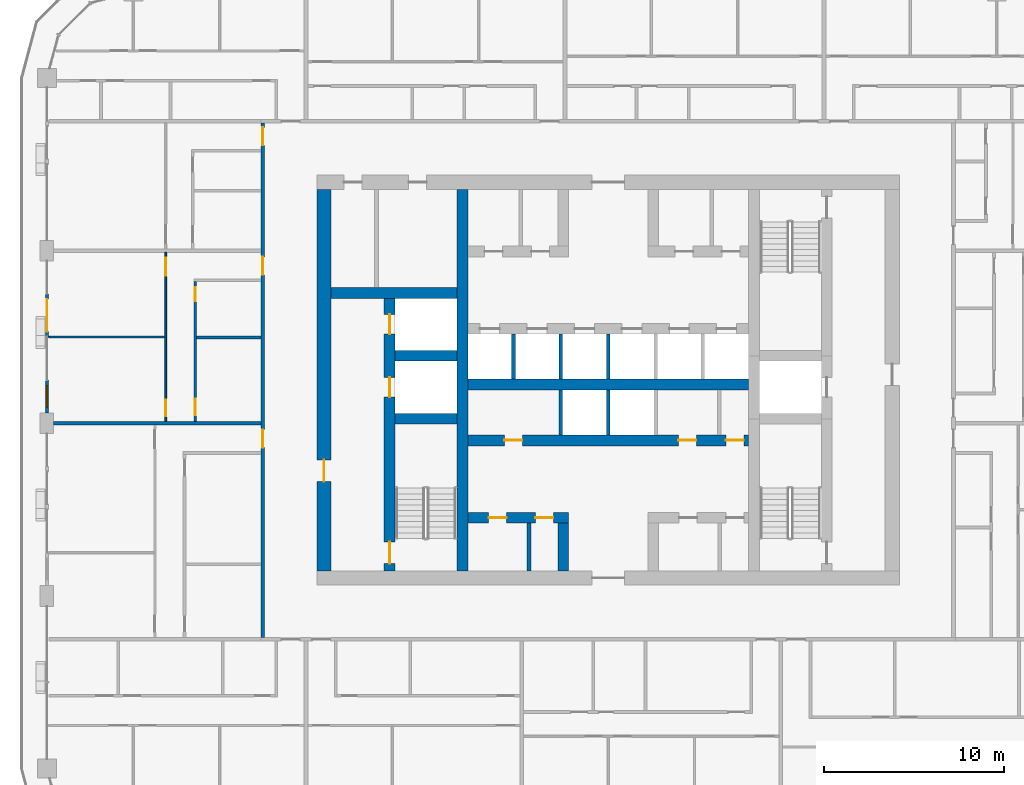
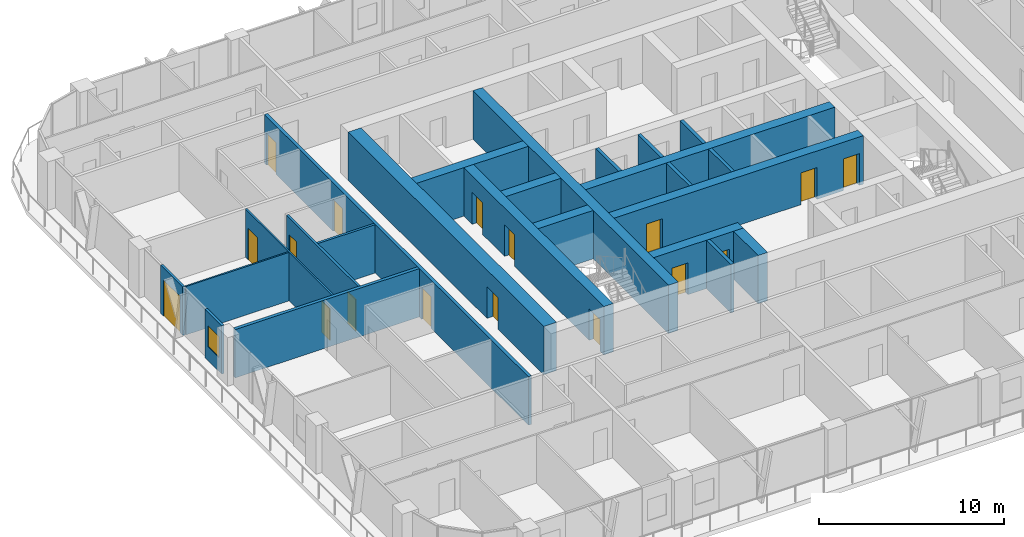
# One storey, part 10 of 22: 24 walls, 17 doors, 1 window, 18 openings.
"""IFC4 building model written with IfcOpenShell, lengths in metres."""

from ifc_helpers import new_model, si_unit, direction, frame, frame_2d, origin, place, context, subcontext, project, spatial, rectangle, extrude, material, layer, layer_set, type_object, element, fill, save


model = new_model("IFC4")

# Units and contexts
model_context = context("Model", 3, precision=1e-05, world=origin(), true_north=direction((0.0, 1.0)))
body_context = subcontext(model_context, "Body", "Model", "MODEL_VIEW")
ifc_project = project(units=[si_unit("LENGTHUNIT", "METRE"), si_unit("AREAUNIT", "SQUARE_METRE"), si_unit("VOLUMEUNIT", "CUBIC_METRE"), si_unit("PLANEANGLEUNIT", "RADIAN"), si_unit("MASSUNIT", "GRAM", prefix="KILO")], contexts=[model_context])

# Site, building, storey
site_placement = place(None, origin())
site = spatial("IfcSite", under=ifc_project, at=site_placement, CompositionType="ELEMENT")
building_placement = place(site_placement, origin())
building = spatial("IfcBuilding", under=site, at=building_placement, Name="Madar Terraces", CompositionType="ELEMENT")
storey_placement = place(building_placement, frame((0.0, 0.0, 149.0)))
storey = spatial("IfcBuildingStorey", under=building, at=storey_placement, Name="L38", CompositionType="ELEMENT", Elevation=149.0)

# Wall, openings, doors
ifc_material_1 = material(Name="Concrete C70/85", Category="concrete")
ifc_layer_1 = layer(ifc_material_1, 0.60009765625)
ifc_layer_set_1 = layer_set([ifc_layer_1], Name="Concrete C70/85 (CIW3 RC wall 600)")
wall_type_1 = type_object("IfcWallType", Name="CIW3 RC wall 600", PredefinedType="SHEAR", material=ifc_layer_set_1)
wall_1_placement = place(storey_placement, frame((19.050048828125, 15.800048828125, 0.0), z_axis=(0.0, 0.0, 1.0), x_axis=(0.0, 1.0, 0.0)))
wall_1 = element("IfcWall", 1, at=wall_1_placement, inside=storey, type_object=wall_type_1, Name="CORE SHAFT WALL", PredefinedType="SHEAR", context=body_context, shape_type="SweptSolid", body=[
    extrude(rectangle(XDim=15.14990234375, YDim=0.60009765625, at=frame_2d((7.574951171875, 0.0))), origin(), (0.0, 0.0, 1.0), 3.199951171875),
])
opening_1_placement = place(wall_1_placement, frame((9.64990234375, 0.0, 0.0)))
opening_1 = element("IfcOpeningElement", 2, at=opening_1_placement, cuts=wall_1, Name="Opening LD", PredefinedType="OPENING", context=body_context, shape_type="SweptSolid", body=[
    extrude(rectangle(XDim=1.10009765625, YDim=2.10009765625, at=frame_2d((0.550048828125, 1.050048828125))), frame((0.0, 0.31005859375, 0.0), z_axis=(0.0, -1.0, 0.0), x_axis=(1.0, 0.0, 0.0)), (0.0, 0.0, 1.0), 0.6201171875),
])
opening_2_placement = place(wall_1_placement, frame((13.14990234375, 0.0, 0.0)))
opening_2 = element("IfcOpeningElement", 3, at=opening_2_placement, cuts=wall_1, Name="Opening LD", PredefinedType="OPENING", context=body_context, shape_type="SweptSolid", body=[
    extrude(rectangle(XDim=1.10009765625, YDim=2.10009765625, at=frame_2d((0.550048828125, 1.050048828125))), frame((0.0, 0.31005859375, 0.0), z_axis=(0.0, -1.0, 0.0), x_axis=(1.0, 0.0, 0.0)), (0.0, 0.0, 1.0), 0.6201171875),
])
opening_3_placement = place(wall_1_placement, frame((0.39990234375, 0.0, 0.0)))
opening_3 = element("IfcOpeningElement", 4, at=opening_3_placement, cuts=wall_1, Name="Opening SD1", PredefinedType="OPENING", context=body_context, shape_type="SweptSolid", body=[
    extrude(rectangle(XDim=1.199951171875, YDim=2.10009765625, at=frame_2d((0.60009765625, 1.050048828125))), frame((0.0, 0.31005859375, 0.0), z_axis=(0.0, -1.0, 0.0), x_axis=(1.0, 0.0, 0.0)), (0.0, 0.0, 1.0), 0.6201171875),
])
ifc_material_2 = material(Name="Stainless steel panel", Category="steel")
door_type_1 = type_object("IfcDoorType", Name="Lift landing door 1100 x 2100", OperationType="DOUBLE_DOOR_SLIDING", PredefinedType="DOOR", material=ifc_material_2)
door_1_placement = place(opening_1_placement, origin())
door_1 = element("IfcDoor", 5, at=door_1_placement, inside=storey, type_object=door_type_1, Name="LIFT LANDING DOOR", OperationType="DOUBLE_DOOR_SLIDING", OverallHeight=2.10009765625, OverallWidth=1.10009765625, PredefinedType="DOOR", context=body_context, shape_type="SweptSolid", body=[
    extrude(rectangle(XDim=1.10009765625, YDim=2.10009765625, at=frame_2d((0.550048828125, 1.050048828125))), frame((0.0, 0.02490234375, 0.0), z_axis=(0.0, -1.0, 0.0), x_axis=(1.0, 0.0, 0.0)), (0.0, 0.0, 1.0), 0.050048828125),
])
fill(opening_1, door_1)
door_2_placement = place(opening_2_placement, origin())
door_2 = element("IfcDoor", 6, at=door_2_placement, inside=storey, type_object=door_type_1, Name="LIFT LANDING DOOR", OperationType="DOUBLE_DOOR_SLIDING", OverallHeight=2.10009765625, OverallWidth=1.10009765625, PredefinedType="DOOR", context=body_context, shape_type="SweptSolid", body=[
    extrude(rectangle(XDim=1.10009765625, YDim=2.10009765625, at=frame_2d((0.550048828125, 1.050048828125))), frame((0.0, 0.02490234375, 0.0), z_axis=(0.0, -1.0, 0.0), x_axis=(1.0, 0.0, 0.0)), (0.0, 0.0, 1.0), 0.050048828125),
])
fill(opening_2, door_2)
ifc_material_3 = material(Name="Steel door leaf", Category="steel")
door_type_2 = type_object("IfcDoorType", Name="Stair door 1200 x 2100", OperationType="NOTDEFINED", PredefinedType="DOOR", material=ifc_material_3)
door_3_placement = place(opening_3_placement, frame((1.199951171875, 0.0, 0.0), z_axis=(0.0, 0.0, 1.0), x_axis=(-1.0, 0.0, 0.0)))
door_3 = element("IfcDoor", 7, at=door_3_placement, inside=storey, type_object=door_type_2, Name="STAIR DOOR", OperationType="SINGLE_SWING_RIGHT", OverallHeight=2.10009765625, OverallWidth=1.199951171875, PredefinedType="DOOR", context=body_context, shape_type="SweptSolid", body=[
    extrude(rectangle(XDim=1.199951171875, YDim=2.10009765625, at=frame_2d((0.60009765625, 1.050048828125))), frame((0.0, 0.02490234375, 0.0), z_axis=(0.0, -1.0, 0.0), x_axis=(1.0, 0.0, 0.0)), (0.0, 0.0, 1.0), 0.050048828125),
])
fill(opening_3, door_3)

# Walls
wall_2_placement = place(storey_placement, frame((23.10009765625, 15.800048828125, 0.0), z_axis=(0.0, 0.0, 1.0), x_axis=(0.0, 1.0, 0.0)))
element("IfcWall", 8, at=wall_2_placement, inside=storey, type_object=wall_type_1, Name="CORE SHAFT WALL", PredefinedType="SHEAR", context=body_context, shape_type="SweptSolid", body=[
    extrude(rectangle(XDim=21.199951171875, YDim=0.60009765625, at=frame_2d((10.60009765625, 0.0))), origin(), (0.0, 0.0, 1.0), 3.199951171875),
])
for number, where, z_axis, x_axis, name in (
    (9, (19.35009765625, 24.25, 0.0), (0.0, 0.0, 1.0), (1.0, 0.0, 0.0), "CORE SHAFT WALL"),
    (10, (19.35009765625, 27.75, 0.0), (0.0, 0.0, 1.0), (1.0, 0.0, 0.0), "CORE SHAFT WALL"),
):
    element("IfcWall", number, at=place(storey_placement, frame(where, z_axis=z_axis, x_axis=x_axis)), inside=storey, type_object=wall_type_1, Name=name, PredefinedType="SHEAR", context=body_context, shape_type="SweptSolid", body=[
        extrude(rectangle(XDim=3.449951171875, YDim=0.60009765625, at=frame_2d((1.72509765625, 0.0))), origin(), (0.0, 0.0, 1.0), 3.199951171875),
    ])
wall_3_placement = place(storey_placement, frame((15.800048828125, 31.25, 0.0), z_axis=(0.0, 0.0, 1.0), x_axis=(1.0, 0.0, 0.0)))
element("IfcWall", 11, at=wall_3_placement, inside=storey, type_object=wall_type_1, Name="CORE SHAFT WALL", PredefinedType="SHEAR", context=body_context, shape_type="SweptSolid", body=[
    extrude(rectangle(XDim=7.0, YDim=0.60009765625, at=frame_2d((3.5, 0.0))), origin(), (0.0, 0.0, 1.0), 3.199951171875),
])

# Wall, openings, doors
wall_4_placement = place(storey_placement, frame((23.39990234375, 18.75, 0.0), z_axis=(0.0, 0.0, 1.0), x_axis=(1.0, 0.0, 0.0)))
wall_4 = element("IfcWall", 12, at=wall_4_placement, inside=storey, type_object=wall_type_1, Name="CORE SHAFT WALL", PredefinedType="SHEAR", context=body_context, shape_type="SweptSolid", body=[
    extrude(rectangle(XDim=5.60009765625, YDim=0.60009765625, at=frame_2d((2.800048828125, 0.0))), origin(), (0.0, 0.0, 1.0), 3.199951171875),
])
opening_4_placement = place(wall_4_placement, frame((1.14990234375, 0.0, 0.0)))
opening_4 = element("IfcOpeningElement", 13, at=opening_4_placement, cuts=wall_4, Name="Opening KD2", PredefinedType="OPENING", context=body_context, shape_type="SweptSolid", body=[
    extrude(rectangle(XDim=1.0, YDim=2.10009765625, at=frame_2d((0.5, 1.050048828125))), frame((0.0, 0.31005859375, 0.0), z_axis=(0.0, -1.0, 0.0), x_axis=(1.0, 0.0, 0.0)), (0.0, 0.0, 1.0), 0.6201171875),
])
opening_5_placement = place(wall_4_placement, frame((3.75, 0.0, 0.0)))
opening_5 = element("IfcOpeningElement", 14, at=opening_5_placement, cuts=wall_4, Name="Opening KD2", PredefinedType="OPENING", context=body_context, shape_type="SweptSolid", body=[
    extrude(rectangle(XDim=1.0, YDim=2.10009765625, at=frame_2d((0.5, 1.050048828125))), frame((0.0, 0.31005859375, 0.0), z_axis=(0.0, -1.0, 0.0), x_axis=(1.0, 0.0, 0.0)), (0.0, 0.0, 1.0), 0.6201171875),
])
ifc_material_4 = material(Name="Steel door leaf", Category="steel")
door_type_3 = type_object("IfcDoorType", Name="Service room door 1000 x 2100", OperationType="NOTDEFINED", PredefinedType="DOOR", material=ifc_material_4)
door_4_placement = place(opening_4_placement, origin())
door_4 = element("IfcDoor", 15, at=door_4_placement, inside=storey, type_object=door_type_3, Name="SERVICE ROOM DOOR", OperationType="SINGLE_SWING_RIGHT", OverallHeight=2.10009765625, OverallWidth=1.0, PredefinedType="DOOR", context=body_context, shape_type="SweptSolid", body=[
    extrude(rectangle(XDim=1.0, YDim=2.10009765625, at=frame_2d((0.5, 1.050048828125))), frame((0.0, 0.02490234375, 0.0), z_axis=(0.0, -1.0, 0.0), x_axis=(1.0, 0.0, 0.0)), (0.0, 0.0, 1.0), 0.050048828125),
])
fill(opening_4, door_4)
door_5_placement = place(opening_5_placement, origin())
door_5 = element("IfcDoor", 16, at=door_5_placement, inside=storey, type_object=door_type_3, Name="SERVICE ROOM DOOR", OperationType="SINGLE_SWING_LEFT", OverallHeight=2.10009765625, OverallWidth=1.0, PredefinedType="DOOR", context=body_context, shape_type="SweptSolid", body=[
    extrude(rectangle(XDim=1.0, YDim=2.10009765625, at=frame_2d((0.5, 1.050048828125))), frame((0.0, 0.02490234375, 0.0), z_axis=(0.0, -1.0, 0.0), x_axis=(1.0, 0.0, 0.0)), (0.0, 0.0, 1.0), 0.050048828125),
])
fill(opening_5, door_5)

wall_5_placement = place(storey_placement, frame((23.39990234375, 23.050048828125, 0.0), z_axis=(0.0, 0.0, 1.0), x_axis=(1.0, 0.0, 0.0)))
wall_5 = element("IfcWall", 17, at=wall_5_placement, inside=storey, type_object=wall_type_1, Name="CORE SHAFT WALL", PredefinedType="SHEAR", context=body_context, shape_type="SweptSolid", body=[
    extrude(rectangle(XDim=15.60009765625, YDim=0.60009765625, at=frame_2d((7.800048828125, 0.0))), origin(), (0.0, 0.0, 1.0), 3.199951171875),
])
opening_6_placement = place(wall_5_placement, frame((2.033447265625, 0.0, 0.0)))
opening_6 = element("IfcOpeningElement", 18, at=opening_6_placement, cuts=wall_5, Name="Opening KD2", PredefinedType="OPENING", context=body_context, shape_type="SweptSolid", body=[
    extrude(rectangle(XDim=1.0, YDim=2.10009765625, at=frame_2d((0.5, 1.050048828125))), frame((0.0, 0.31005859375, 0.0), z_axis=(0.0, -1.0, 0.0), x_axis=(1.0, 0.0, 0.0)), (0.0, 0.0, 1.0), 0.6201171875),
])
opening_7_placement = place(wall_5_placement, frame((11.7060546875, 0.0, 0.0)))
opening_7 = element("IfcOpeningElement", 19, at=opening_7_placement, cuts=wall_5, Name="Opening KD2", PredefinedType="OPENING", context=body_context, shape_type="SweptSolid", body=[
    extrude(rectangle(XDim=1.0, YDim=2.10009765625, at=frame_2d((0.5, 1.050048828125))), frame((0.0, 0.31005859375, 0.0), z_axis=(0.0, -1.0, 0.0), x_axis=(1.0, 0.0, 0.0)), (0.0, 0.0, 1.0), 0.6201171875),
])
opening_8_placement = place(wall_5_placement, frame((14.33935546875, 0.0, 0.0)))
opening_8 = element("IfcOpeningElement", 20, at=opening_8_placement, cuts=wall_5, Name="Opening KD2", PredefinedType="OPENING", context=body_context, shape_type="SweptSolid", body=[
    extrude(rectangle(XDim=1.0, YDim=2.10009765625, at=frame_2d((0.5, 1.050048828125))), frame((0.0, 0.31005859375, 0.0), z_axis=(0.0, -1.0, 0.0), x_axis=(1.0, 0.0, 0.0)), (0.0, 0.0, 1.0), 0.6201171875),
])
door_6_placement = place(opening_6_placement, frame((1.0, 0.0, 0.0), z_axis=(0.0, 0.0, 1.0), x_axis=(-1.0, 0.0, 0.0)))
door_6 = element("IfcDoor", 21, at=door_6_placement, inside=storey, type_object=door_type_3, Name="SERVICE ROOM DOOR", OperationType="SINGLE_SWING_LEFT", OverallHeight=2.10009765625, OverallWidth=1.0, PredefinedType="DOOR", context=body_context, shape_type="SweptSolid", body=[
    extrude(rectangle(XDim=1.0, YDim=2.10009765625, at=frame_2d((0.5, 1.050048828125))), frame((0.0, 0.02490234375, 0.0), z_axis=(0.0, -1.0, 0.0), x_axis=(1.0, 0.0, 0.0)), (0.0, 0.0, 1.0), 0.050048828125),
])
fill(opening_6, door_6)
door_7_placement = place(opening_7_placement, frame((1.0, 0.0, 0.0), z_axis=(0.0, 0.0, 1.0), x_axis=(-1.0, 0.0, 0.0)))
door_7 = element("IfcDoor", 22, at=door_7_placement, inside=storey, type_object=door_type_3, Name="SERVICE ROOM DOOR", OperationType="SINGLE_SWING_RIGHT", OverallHeight=2.10009765625, OverallWidth=1.0, PredefinedType="DOOR", context=body_context, shape_type="SweptSolid", body=[
    extrude(rectangle(XDim=1.0, YDim=2.10009765625, at=frame_2d((0.5, 1.050048828125))), frame((0.0, 0.02490234375, 0.0), z_axis=(0.0, -1.0, 0.0), x_axis=(1.0, 0.0, 0.0)), (0.0, 0.0, 1.0), 0.050048828125),
])
fill(opening_7, door_7)
door_8_placement = place(opening_8_placement, frame((1.0, 0.0, 0.0), z_axis=(0.0, 0.0, 1.0), x_axis=(-1.0, 0.0, 0.0)))
door_8 = element("IfcDoor", 23, at=door_8_placement, inside=storey, type_object=door_type_3, Name="SERVICE ROOM DOOR", OperationType="SINGLE_SWING_LEFT", OverallHeight=2.10009765625, OverallWidth=1.0, PredefinedType="DOOR", context=body_context, shape_type="SweptSolid", body=[
    extrude(rectangle(XDim=1.0, YDim=2.10009765625, at=frame_2d((0.5, 1.050048828125))), frame((0.0, 0.02490234375, 0.0), z_axis=(0.0, -1.0, 0.0), x_axis=(1.0, 0.0, 0.0)), (0.0, 0.0, 1.0), 0.050048828125),
])
fill(opening_8, door_8)

# Walls
wall_6_placement = place(storey_placement, frame((23.39990234375, 26.14990234375, 0.0), z_axis=(0.0, 0.0, 1.0), x_axis=(1.0, 0.0, 0.0)))
element("IfcWall", 24, at=wall_6_placement, inside=storey, type_object=wall_type_1, Name="CORE SHAFT WALL", PredefinedType="SHEAR", context=body_context, shape_type="SweptSolid", body=[
    extrude(rectangle(XDim=15.60009765625, YDim=0.60009765625, at=frame_2d((7.800048828125, 0.0))), origin(), (0.0, 0.0, 1.0), 3.199951171875),
])
wall_7_placement = place(storey_placement, frame((28.699951171875, 15.800048828125, 0.0), z_axis=(0.0, 0.0, 1.0), x_axis=(0.0, 1.0, 0.0)))
element("IfcWall", 25, at=wall_7_placement, inside=storey, type_object=wall_type_1, Name="CORE SHAFT WALL", PredefinedType="SHEAR", context=body_context, shape_type="SweptSolid", body=[
    extrude(rectangle(XDim=2.64990234375, YDim=0.60009765625, at=frame_2d((1.324951171875, 0.0))), origin(), (0.0, 0.0, 1.0), 3.199951171875),
])

# Wall, opening, door
ifc_material_5 = material(Name="Concrete C70/85", Category="concrete")
ifc_layer_2 = layer(ifc_material_5, 0.800048828125)
ifc_layer_set_2 = layer_set([ifc_layer_2], Name="Concrete C70/85 (CRW3 RC wall 800)")
wall_type_2 = type_object("IfcWallType", Name="CRW3 RC wall 800", PredefinedType="SHEAR", material=ifc_layer_set_2)
wall_8_placement = place(storey_placement, frame((15.39990234375, 15.800048828125, 0.0), z_axis=(0.0, 0.0, 1.0), x_axis=(0.0, 1.0, 0.0)))
wall_8 = element("IfcWall", 26, at=wall_8_placement, inside=storey, type_object=wall_type_2, Name="CORE OUTER WALL", PredefinedType="SHEAR", context=body_context, shape_type="SweptSolid", body=[
    extrude(rectangle(XDim=21.199951171875, YDim=0.800048828125, at=frame_2d((10.60009765625, 0.0))), origin(), (0.0, 0.0, 1.0), 3.199951171875),
])
opening_9_placement = place(wall_8_placement, frame((4.9599609375, 0.0, 0.0)))
opening_9 = element("IfcOpeningElement", 27, at=opening_9_placement, cuts=wall_8, Name="Opening SD1", PredefinedType="OPENING", context=body_context, shape_type="SweptSolid", body=[
    extrude(rectangle(XDim=1.199951171875, YDim=2.10009765625, at=frame_2d((0.60009765625, 1.050048828125))), frame((0.0, 0.409912109375, 0.0), z_axis=(0.0, -1.0, 0.0), x_axis=(1.0, 0.0, 0.0)), (0.0, 0.0, 1.0), 0.820068359375),
])
door_9_placement = place(opening_9_placement, frame((1.199951171875, 0.0, 0.0), z_axis=(0.0, 0.0, 1.0), x_axis=(-1.0, 0.0, 0.0)))
door_9 = element("IfcDoor", 28, at=door_9_placement, inside=storey, type_object=door_type_2, Name="STAIR DOOR", OperationType="SINGLE_SWING_LEFT", OverallHeight=2.10009765625, OverallWidth=1.199951171875, PredefinedType="DOOR", context=body_context, shape_type="SweptSolid", body=[
    extrude(rectangle(XDim=1.199951171875, YDim=2.10009765625, at=frame_2d((0.60009765625, 1.050048828125))), frame((0.0, 0.02490234375, 0.0), z_axis=(0.0, -1.0, 0.0), x_axis=(1.0, 0.0, 0.0)), (0.0, 0.0, 1.0), 0.050048828125),
])
fill(opening_9, door_9)

# Walls
ifc_material_6 = material(Name="Masonry blockwork", Category="masonry")
ifc_layer_3 = layer(ifc_material_6, 0.199951171875)
ifc_layer_set_3 = layer_set([ifc_layer_3], Name="Core partition 200 blockwork")
wall_type_3 = type_object("IfcWallType", Name="Core partition 200 blockwork", PredefinedType="PARTITIONING", material=ifc_layer_set_3)
wall_9_placement = place(storey_placement, frame((26.800048828125, 15.800048828125, 0.0), z_axis=(0.0, 0.0, 1.0), x_axis=(0.0, 1.0, 0.0)))
element("IfcWall", 29, at=wall_9_placement, inside=storey, type_object=wall_type_3, Name="SERVICE ROOM PARTITION", PredefinedType="PARTITIONING", context=body_context, shape_type="SweptSolid", body=[
    extrude(rectangle(XDim=2.64990234375, YDim=0.199951171875, at=frame_2d((1.324951171875, 0.0))), origin(), (0.0, 0.0, 1.0), 3.199951171875),
])
ifc_material_7 = material(Name="Concrete C40/50", Category="concrete")
ifc_layer_4 = layer(ifc_material_7, 0.199951171875)
ifc_layer_set_4 = layer_set([ifc_layer_4], Name="Core shaft dividing wall 200 C40/50")
wall_type_4 = type_object("IfcWallType", Name="Core shaft dividing wall 200 C40/50", PredefinedType="SOLIDWALL", material=ifc_layer_set_4)
for number, where, z_axis, x_axis, name in (
    (30, (25.933349609375, 26.449951171875, 0.0), (0.0, 0.0, 1.0), (0.0, 1.0, 0.0), "SHAFT DIVIDING WALL"),
    (31, (28.566650390625, 23.35009765625, 0.0), (0.0, 0.0, 1.0), (0.0, 1.0, 0.0), "SHAFT DIVIDING WALL"),
    (32, (28.566650390625, 26.449951171875, 0.0), (0.0, 0.0, 1.0), (0.0, 1.0, 0.0), "SHAFT DIVIDING WALL"),
    (33, (31.199951171875, 23.35009765625, 0.0), (0.0, 0.0, 1.0), (0.0, 1.0, 0.0), "SHAFT DIVIDING WALL"),
    (34, (31.199951171875, 26.449951171875, 0.0), (0.0, 0.0, 1.0), (0.0, 1.0, 0.0), "SHAFT DIVIDING WALL"),
):
    element("IfcWall", number, at=place(storey_placement, frame(where, z_axis=z_axis, x_axis=x_axis)), inside=storey, type_object=wall_type_4, Name=name, PredefinedType="SOLIDWALL", context=body_context, shape_type="SweptSolid", body=[
        extrude(rectangle(XDim=2.5, YDim=0.199951171875, at=frame_2d((1.25, 0.0))), origin(), (0.0, 0.0, 1.0), 3.199951171875),
    ])

# Wall, opening, door
ifc_material_8 = material(Name="Aluminium composite panel, black, over insulated backing", Category="aluminium")
ifc_layer_5 = layer(ifc_material_8, 0.14990234375)
ifc_layer_set_5 = layer_set([ifc_layer_5], Name="Facade bay panel 150")
wall_type_5 = type_object("IfcWallType", Name="Facade bay panel 150", PredefinedType="SOLIDWALL", material=ifc_layer_set_5)
wall_10_placement = place(storey_placement, frame((0.0, 31.199951171875, 0.0), z_axis=(0.0, 0.0, 1.0), x_axis=(0.0, -1.0, 0.0)))
wall_10 = element("IfcWall", 35, at=wall_10_placement, inside=storey, type_object=wall_type_5, Name="Facade bay panel", PredefinedType="SOLIDWALL", context=body_context, shape_type="SweptSolid", body=[
    extrude(rectangle(XDim=2.39990234375, YDim=0.14990234375, at=frame_2d((1.199951171875, 0.0))), origin(), (0.0, 0.0, 1.0), 3.199951171875),
])
opening_10_placement = place(wall_10_placement, frame((0.300048828125, 0.0, 0.0)))
opening_10 = element("IfcOpeningElement", 36, at=opening_10_placement, cuts=wall_10, Name="Opening ED1", PredefinedType="OPENING", context=body_context, shape_type="SweptSolid", body=[
    extrude(rectangle(XDim=1.800048828125, YDim=2.39990234375, at=frame_2d((0.89990234375, 1.199951171875))), frame((0.0, 0.0849609375, 0.0), z_axis=(0.0, -1.0, 0.0), x_axis=(1.0, 0.0, 0.0)), (0.0, 0.0, 1.0), 0.169921875),
])
ifc_material_9 = material(Name="Glass, clear, with black aluminium frame", Category="aluminium")
door_type_4 = type_object("IfcDoorType", Name="Balcony and terrace sliding door 1800 x 2400", OperationType="SLIDING_TO_LEFT", PredefinedType="DOOR", material=ifc_material_9)
door_10_placement = place(opening_10_placement, origin())
door_10 = element("IfcDoor", 37, at=door_10_placement, inside=storey, type_object=door_type_4, Name="Balcony door", OperationType="SLIDING_TO_RIGHT", OverallHeight=2.39990234375, OverallWidth=1.800048828125, PredefinedType="DOOR", context=body_context, shape_type="SweptSolid", body=[
    extrude(rectangle(XDim=1.800048828125, YDim=2.39990234375, at=frame_2d((0.89990234375, 1.199951171875))), frame((0.0, 0.02490234375, 0.0), z_axis=(0.0, -1.0, 0.0), x_axis=(1.0, 0.0, 0.0)), (0.0, 0.0, 1.0), 0.050048828125),
])
fill(opening_10, door_10)

# Wall, opening, window
wall_11_placement = place(storey_placement, frame((0.0, 26.39990234375, 0.0), z_axis=(0.0, 0.0, 1.0), x_axis=(0.0, -1.0, 0.0)))
wall_11 = element("IfcWall", 38, at=wall_11_placement, inside=storey, type_object=wall_type_5, Name="Facade bay panel", PredefinedType="SOLIDWALL", context=body_context, shape_type="SweptSolid", body=[
    extrude(rectangle(XDim=1.824951171875, YDim=0.14990234375, at=frame_2d((0.91259765625, 0.0))), origin(), (0.0, 0.0, 1.0), 3.199951171875),
])
opening_11_placement = place(wall_11_placement, frame((0.3125, 0.0, 0.89990234375)))
opening_11 = element("IfcOpeningElement", 39, at=opening_11_placement, cuts=wall_11, Name="Opening W1", PredefinedType="OPENING", context=body_context, shape_type="SweptSolid", body=[
    extrude(rectangle(XDim=1.199951171875, YDim=1.39990234375, at=frame_2d((0.60009765625, 0.699951171875))), frame((0.0, 0.0849609375, 0.0), z_axis=(0.0, -1.0, 0.0), x_axis=(1.0, 0.0, 0.0)), (0.0, 0.0, 1.0), 0.169921875),
])
ifc_material_10 = material(Name="Glass, clear, with black aluminium frame", Category="aluminium")
window_type = type_object("IfcWindowType", Name="Vent window 1200 x 1400", PartitioningType="SINGLE_PANEL", PredefinedType="WINDOW", material=ifc_material_10)
window_placement = place(opening_11_placement, origin())
window = element("IfcWindow", 40, at=window_placement, inside=storey, type_object=window_type, Name="Operable vent window", OverallHeight=1.39990234375, OverallWidth=1.199951171875, PartitioningType="SINGLE_PANEL", PredefinedType="WINDOW", context=body_context, shape_type="SweptSolid", body=[
    extrude(rectangle(XDim=1.199951171875, YDim=1.39990234375, at=frame_2d((0.60009765625, 0.699951171875))), frame((0.0, 0.030029296875, 0.0), z_axis=(0.0, -1.0, 0.0), x_axis=(1.0, 0.0, 0.0)), (0.0, 0.0, 1.0), 0.06005859375),
])
fill(opening_11, window)

# Wall
ifc_material_11 = material(Name="Gypsum board on steel studs", Category="steel")
ifc_layer_6 = layer(ifc_material_11, 0.10009765625)
ifc_layer_set_6 = layer_set([ifc_layer_6], Name="Flat partition 100")
wall_type_6 = type_object("IfcWallType", Name="Flat partition 100", PredefinedType="PARTITIONING", material=ifc_layer_set_6)
wall_12_placement = place(storey_placement, frame((6.550048828125, 28.800048828125, 0.0), z_axis=(0.0, 0.0, 1.0), x_axis=(-1.0, 0.0, 0.0)))
element("IfcWall", 41, at=wall_12_placement, inside=storey, type_object=wall_type_6, Name="Flat partition 100", PredefinedType="PARTITIONING", context=body_context, shape_type="SweptSolid", body=[
    extrude(rectangle(XDim=6.449951171875, YDim=0.10009765625, at=frame_2d((3.22509765625, 0.0))), origin(), (0.0, 0.0, 1.0), 3.199951171875),
])

# Wall, openings, doors
wall_13_placement = place(storey_placement, frame((6.60009765625, 24.10009765625, 0.0), z_axis=(0.0, 0.0, 1.0), x_axis=(0.0, 1.0, 0.0)))
wall_13 = element("IfcWall", 42, at=wall_13_placement, inside=storey, type_object=wall_type_6, Name="Flat partition 100", PredefinedType="PARTITIONING", context=body_context, shape_type="SweptSolid", body=[
    extrude(rectangle(XDim=9.39990234375, YDim=0.10009765625, at=frame_2d((4.699951171875, 0.0))), origin(), (0.0, 0.0, 1.0), 3.199951171875),
])
opening_12_placement = place(wall_13_placement, frame((8.10009765625, 0.0, 0.0)))
opening_12 = element("IfcOpeningElement", 43, at=opening_12_placement, cuts=wall_13, Name="Opening D3", PredefinedType="OPENING", context=body_context, shape_type="SweptSolid", body=[
    extrude(rectangle(XDim=1.0, YDim=2.10009765625, at=frame_2d((0.5, 1.050048828125))), frame((0.0, 0.06005859375, 0.0), z_axis=(0.0, -1.0, 0.0), x_axis=(1.0, 0.0, 0.0)), (0.0, 0.0, 1.0), 0.1201171875),
])
opening_13_placement = place(wall_13_placement, frame((0.300048828125, 0.0, 0.0)))
opening_13 = element("IfcOpeningElement", 44, at=opening_13_placement, cuts=wall_13, Name="Opening D2", PredefinedType="OPENING", context=body_context, shape_type="SweptSolid", body=[
    extrude(rectangle(XDim=0.89990234375, YDim=2.10009765625, at=frame_2d((0.449951171875, 1.050048828125))), frame((0.0, 0.06005859375, 0.0), z_axis=(0.0, -1.0, 0.0), x_axis=(1.0, 0.0, 0.0)), (0.0, 0.0, 1.0), 0.1201171875),
])
ifc_material_12 = material(Name="Timber door leaf", Category="wood")
door_type_5 = type_object("IfcDoorType", Name="Flat living room door 1000", OperationType="NOTDEFINED", PredefinedType="DOOR", material=ifc_material_12)
door_11_placement = place(opening_12_placement, origin())
door_11 = element("IfcDoor", 45, at=door_11_placement, inside=storey, type_object=door_type_5, Name="Flat living room door 1000", OperationType="SINGLE_SWING_RIGHT", OverallHeight=2.10009765625, OverallWidth=1.0, PredefinedType="DOOR", context=body_context, shape_type="SweptSolid", body=[
    extrude(rectangle(XDim=1.0, YDim=2.10009765625, at=frame_2d((0.5, 1.050048828125))), frame((0.0, 0.02490234375, 0.0), z_axis=(0.0, -1.0, 0.0), x_axis=(1.0, 0.0, 0.0)), (0.0, 0.0, 1.0), 0.050048828125),
])
fill(opening_12, door_11)
ifc_material_13 = material(Name="Timber door leaf", Category="wood")
door_type_6 = type_object("IfcDoorType", Name="Flat room door 900", OperationType="NOTDEFINED", PredefinedType="DOOR", material=ifc_material_13)
door_12_placement = place(opening_13_placement, origin())
door_12 = element("IfcDoor", 46, at=door_12_placement, inside=storey, type_object=door_type_6, Name="Flat room door 900", OperationType="SINGLE_SWING_LEFT", OverallHeight=2.10009765625, OverallWidth=0.89990234375, PredefinedType="DOOR", context=body_context, shape_type="SweptSolid", body=[
    extrude(rectangle(XDim=0.89990234375, YDim=2.10009765625, at=frame_2d((0.449951171875, 1.050048828125))), frame((0.0, 0.02490234375, 0.0), z_axis=(0.0, -1.0, 0.0), x_axis=(1.0, 0.0, 0.0)), (0.0, 0.0, 1.0), 0.050048828125),
])
fill(opening_13, door_12)

ifc_material_14 = material(Name="Lightweight blockwork", Category="masonry")
ifc_layer_7 = layer(ifc_material_14, 0.199951171875)
ifc_layer_set_7 = layer_set([ifc_layer_7], Name="Flat party and entrance wall 200")
wall_type_7 = type_object("IfcWallType", Name="Flat party and entrance wall 200", PredefinedType="PARTITIONING", material=ifc_layer_set_7)
wall_14_placement = place(storey_placement, frame((12.0, 12.10009765625, 0.0), z_axis=(0.0, 0.0, 1.0), x_axis=(0.0, 1.0, 0.0)))
wall_14 = element("IfcWall", 47, at=wall_14_placement, inside=storey, type_object=wall_type_7, Name="Flat party and entrance wall 200", PredefinedType="PARTITIONING", context=body_context, shape_type="SweptSolid", body=[
    extrude(rectangle(XDim=28.599853515625, YDim=0.199951171875, at=frame_2d((14.2998046875, 0.0))), origin(), (0.0, 0.0, 1.0), 3.199951171875),
])
opening_14_placement = place(wall_14_placement, frame((27.35009765625, 0.0, 0.0)))
opening_14 = element("IfcOpeningElement", 48, at=opening_14_placement, cuts=wall_14, Name="Opening D1", PredefinedType="OPENING", context=body_context, shape_type="SweptSolid", body=[
    extrude(rectangle(XDim=1.0, YDim=2.10009765625, at=frame_2d((0.5, 1.050048828125))), frame((0.0, 0.10986328125, 0.0), z_axis=(0.0, -1.0, 0.0), x_axis=(1.0, 0.0, 0.0)), (0.0, 0.0, 1.0), 0.219970703125),
])
opening_15_placement = place(wall_14_placement, frame((20.14990234375, 0.0, 0.0)))
opening_15 = element("IfcOpeningElement", 49, at=opening_15_placement, cuts=wall_14, Name="Opening D1", PredefinedType="OPENING", context=body_context, shape_type="SweptSolid", body=[
    extrude(rectangle(XDim=1.0, YDim=2.10009765625, at=frame_2d((0.5, 1.050048828125))), frame((0.0, 0.10986328125, 0.0), z_axis=(0.0, -1.0, 0.0), x_axis=(1.0, 0.0, 0.0)), (0.0, 0.0, 1.0), 0.219970703125),
])
opening_16_placement = place(wall_14_placement, frame((10.550048828125, 0.0, 0.0)))
opening_16 = element("IfcOpeningElement", 50, at=opening_16_placement, cuts=wall_14, Name="Opening D1", PredefinedType="OPENING", context=body_context, shape_type="SweptSolid", body=[
    extrude(rectangle(XDim=1.0, YDim=2.10009765625, at=frame_2d((0.5, 1.050048828125))), frame((0.0, 0.10986328125, 0.0), z_axis=(0.0, -1.0, 0.0), x_axis=(1.0, 0.0, 0.0)), (0.0, 0.0, 1.0), 0.219970703125),
])
ifc_material_15 = material(Name="Timber fire door leaf", Category="wood")
door_type_7 = type_object("IfcDoorType", Name="Flat entrance door 1000 FD30S", OperationType="NOTDEFINED", PredefinedType="DOOR", material=ifc_material_15)
door_13_placement = place(opening_14_placement, origin())
door_13 = element("IfcDoor", 51, at=door_13_placement, inside=storey, type_object=door_type_7, Name="Flat entrance door 1000 FD30S", OperationType="SINGLE_SWING_RIGHT", OverallHeight=2.10009765625, OverallWidth=1.0, PredefinedType="DOOR", context=body_context, shape_type="SweptSolid", body=[
    extrude(rectangle(XDim=1.0, YDim=2.10009765625, at=frame_2d((0.5, 1.050048828125))), frame((0.0, 0.02490234375, 0.0), z_axis=(0.0, -1.0, 0.0), x_axis=(1.0, 0.0, 0.0)), (0.0, 0.0, 1.0), 0.050048828125),
])
fill(opening_14, door_13)
door_14_placement = place(opening_15_placement, origin())
door_14 = element("IfcDoor", 52, at=door_14_placement, inside=storey, type_object=door_type_7, Name="Flat entrance door 1000 FD30S", OperationType="SINGLE_SWING_RIGHT", OverallHeight=2.10009765625, OverallWidth=1.0, PredefinedType="DOOR", context=body_context, shape_type="SweptSolid", body=[
    extrude(rectangle(XDim=1.0, YDim=2.10009765625, at=frame_2d((0.5, 1.050048828125))), frame((0.0, 0.02490234375, 0.0), z_axis=(0.0, -1.0, 0.0), x_axis=(1.0, 0.0, 0.0)), (0.0, 0.0, 1.0), 0.050048828125),
])
fill(opening_15, door_14)
door_15_placement = place(opening_16_placement, origin())
door_15 = element("IfcDoor", 53, at=door_15_placement, inside=storey, type_object=door_type_7, Name="Flat entrance door 1000 FD30S", OperationType="SINGLE_SWING_RIGHT", OverallHeight=2.10009765625, OverallWidth=1.0, PredefinedType="DOOR", context=body_context, shape_type="SweptSolid", body=[
    extrude(rectangle(XDim=1.0, YDim=2.10009765625, at=frame_2d((0.5, 1.050048828125))), frame((0.0, 0.02490234375, 0.0), z_axis=(0.0, -1.0, 0.0), x_axis=(1.0, 0.0, 0.0)), (0.0, 0.0, 1.0), 0.050048828125),
])
fill(opening_16, door_15)

# Walls
wall_15_placement = place(storey_placement, frame((0.375, 24.0, 0.0), z_axis=(0.0, 0.0, 1.0), x_axis=(1.0, 0.0, 0.0)))
element("IfcWall", 54, at=wall_15_placement, inside=storey, type_object=wall_type_7, Name="Flat party and entrance wall 200", PredefinedType="PARTITIONING", context=body_context, shape_type="SweptSolid", body=[
    extrude(rectangle(XDim=11.52490234375, YDim=0.199951171875, at=frame_2d((5.762451171875, 0.0))), origin(), (0.0, 0.0, 1.0), 3.199951171875),
])
ifc_material_16 = material(Name="Lightweight blockwork", Category="masonry")
ifc_layer_8 = layer(ifc_material_16, 0.14990234375)
ifc_layer_set_8 = layer_set([ifc_layer_8], Name="Flat wet-room partition 150")
wall_type_8 = type_object("IfcWallType", Name="Flat wet-room partition 150", PredefinedType="PARTITIONING", material=ifc_layer_set_8)
wall_16_placement = place(storey_placement, frame((11.89990234375, 28.764892578125, 0.0), z_axis=(0.0, 0.0, 1.0), x_axis=(-1.0, 0.0, 0.0)))
element("IfcWall", 55, at=wall_16_placement, inside=storey, type_object=wall_type_8, Name="Flat wet-room partition 150", PredefinedType="PARTITIONING", context=body_context, shape_type="SweptSolid", body=[
    extrude(rectangle(XDim=3.574951171875, YDim=0.14990234375, at=frame_2d((1.78759765625, 0.0))), origin(), (0.0, 0.0, 1.0), 3.199951171875),
])

# Wall, openings, doors
wall_17_placement = place(storey_placement, frame((8.25, 31.875, 0.0), z_axis=(0.0, 0.0, 1.0), x_axis=(0.0, -1.0, 0.0)))
wall_17 = element("IfcWall", 56, at=wall_17_placement, inside=storey, type_object=wall_type_8, Name="Flat wet-room partition 150", PredefinedType="PARTITIONING", context=body_context, shape_type="SweptSolid", body=[
    extrude(rectangle(XDim=7.77490234375, YDim=0.14990234375, at=frame_2d((3.887451171875, 0.0))), origin(), (0.0, 0.0, 1.0), 3.199951171875),
])
opening_17_placement = place(wall_17_placement, frame((0.300048828125, 0.0, 0.0)))
opening_17 = element("IfcOpeningElement", 57, at=opening_17_placement, cuts=wall_17, Name="Opening D4", PredefinedType="OPENING", context=body_context, shape_type="SweptSolid", body=[
    extrude(rectangle(XDim=0.800048828125, YDim=2.10009765625, at=frame_2d((0.39990234375, 1.050048828125))), frame((0.0, 0.0849609375, 0.0), z_axis=(0.0, -1.0, 0.0), x_axis=(1.0, 0.0, 0.0)), (0.0, 0.0, 1.0), 0.169921875),
])
opening_18_placement = place(wall_17_placement, frame((6.52490234375, 0.0, 0.0)))
opening_18 = element("IfcOpeningElement", 58, at=opening_18_placement, cuts=wall_17, Name="Opening D2", PredefinedType="OPENING", context=body_context, shape_type="SweptSolid", body=[
    extrude(rectangle(XDim=0.89990234375, YDim=2.10009765625, at=frame_2d((0.449951171875, 1.050048828125))), frame((0.0, 0.0849609375, 0.0), z_axis=(0.0, -1.0, 0.0), x_axis=(1.0, 0.0, 0.0)), (0.0, 0.0, 1.0), 0.169921875),
])
ifc_material_17 = material(Name="Timber door leaf", Category="wood")
door_type_8 = type_object("IfcDoorType", Name="Flat bathroom door 800", OperationType="NOTDEFINED", PredefinedType="DOOR", material=ifc_material_17)
door_16_placement = place(opening_17_placement, origin())
door_16 = element("IfcDoor", 59, at=door_16_placement, inside=storey, type_object=door_type_8, Name="Flat bathroom door 800", OperationType="SINGLE_SWING_LEFT", OverallHeight=2.10009765625, OverallWidth=0.800048828125, PredefinedType="DOOR", context=body_context, shape_type="SweptSolid", body=[
    extrude(rectangle(XDim=0.800048828125, YDim=2.10009765625, at=frame_2d((0.39990234375, 1.050048828125))), frame((0.0, 0.02490234375, 0.0), z_axis=(0.0, -1.0, 0.0), x_axis=(1.0, 0.0, 0.0)), (0.0, 0.0, 1.0), 0.050048828125),
])
fill(opening_17, door_16)
door_17_placement = place(opening_18_placement, origin())
door_17 = element("IfcDoor", 60, at=door_17_placement, inside=storey, type_object=door_type_6, Name="Flat room door 900", OperationType="SINGLE_SWING_RIGHT", OverallHeight=2.10009765625, OverallWidth=0.89990234375, PredefinedType="DOOR", context=body_context, shape_type="SweptSolid", body=[
    extrude(rectangle(XDim=0.89990234375, YDim=2.10009765625, at=frame_2d((0.449951171875, 1.050048828125))), frame((0.0, 0.02490234375, 0.0), z_axis=(0.0, -1.0, 0.0), x_axis=(1.0, 0.0, 0.0)), (0.0, 0.0, 1.0), 0.050048828125),
])
fill(opening_18, door_17)

save(model, "model.ifc")
